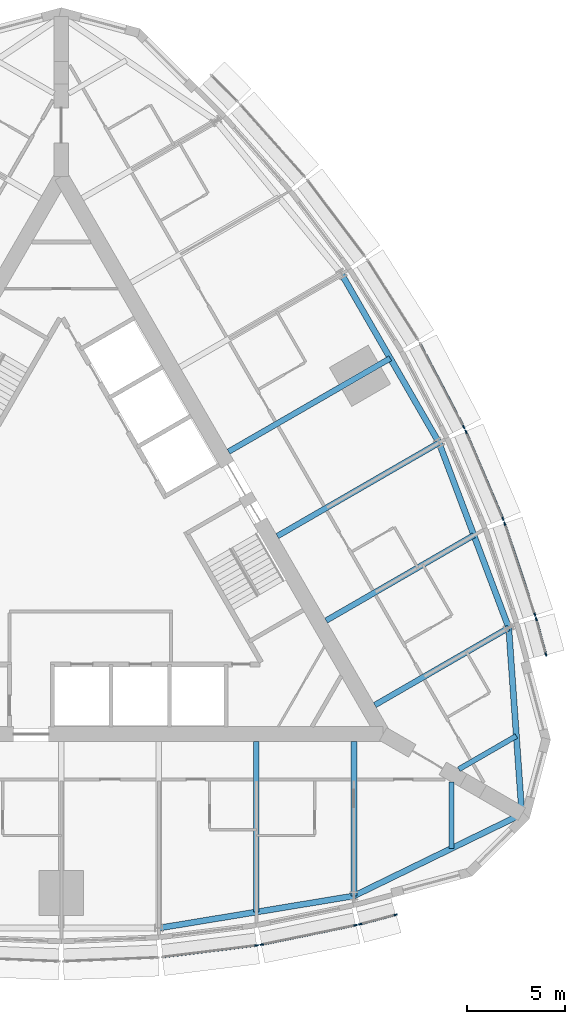
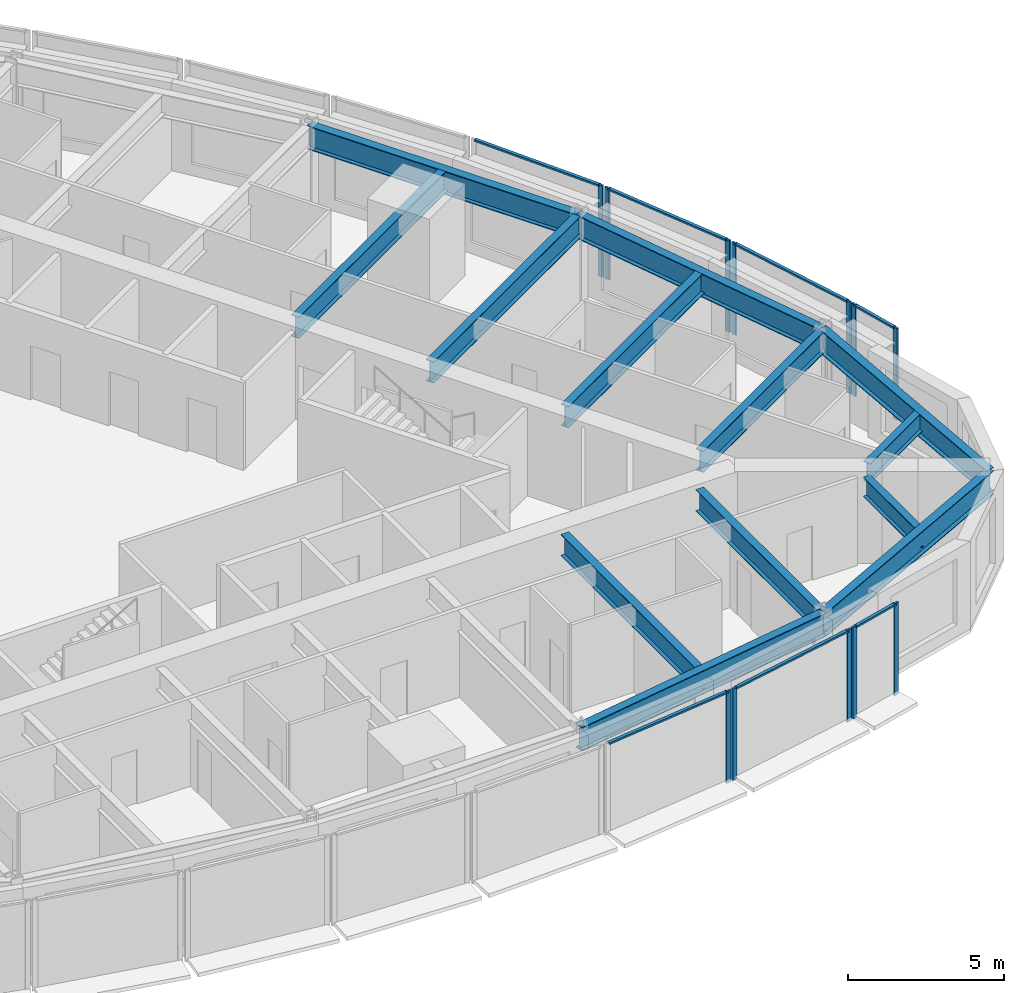
# One storey, part 4 of 15: 19 members, 13 beams, 7 elements without a shape of their own.
"""IFC4 building model written with IfcOpenShell, lengths in metres."""

from ifc_helpers import new_model, si_unit, direction, frame, origin, origin_2d, place, context, subcontext, project, spatial, rectangle, i_section, extrude, material, material_profile, profile_set, type_object, element, aggregate, save


model = new_model("IFC4")

# Units and contexts
model_context = context("Model", 3, precision=1e-05, world=origin(), true_north=direction((0.0, 1.0)))
body_context = subcontext(model_context, "Body", "Model", "MODEL_VIEW")
ifc_project = project(units=[si_unit("LENGTHUNIT", "METRE"), si_unit("AREAUNIT", "SQUARE_METRE"), si_unit("VOLUMEUNIT", "CUBIC_METRE"), si_unit("PLANEANGLEUNIT", "RADIAN"), si_unit("MASSUNIT", "GRAM", prefix="KILO")], contexts=[model_context])

# Site, building, storey
site_placement = place(None, origin())
site = spatial("IfcSite", under=ifc_project, at=site_placement, CompositionType="ELEMENT")
building_placement = place(site_placement, origin())
building = spatial("IfcBuilding", under=site, at=building_placement, Name="Trikona Tower", CompositionType="ELEMENT")
storey_placement = place(building_placement, frame((0.0, 0.0, 215.300048828125)))
storey = spatial("IfcBuildingStorey", under=building, at=storey_placement, Name="L57", CompositionType="ELEMENT", Elevation=215.300048828125)

# Curtain wall, member
ifc_material_1 = material(Name="Aluminium curtain wall system", Category="aluminium")
curtain_wall_type = type_object("IfcCurtainWallType", Name="Curtain wall DS3", PredefinedType="NOTDEFINED", material=ifc_material_1)
curtain_wall_1_placement = place(storey_placement, origin())
curtain_wall_1 = element("IfcCurtainWall", 1, at=curtain_wall_1_placement, inside=storey, type_object=curtain_wall_type, Name="Curtain wall DS3 L57", PredefinedType="NOTDEFINED")
ifc_material_2 = material(Name="Aluminium mullion, pale anodised", Category="aluminium")
ifc_material_profile_1 = material_profile(ifc_material_2, rectangle(XDim=0.070068359375, YDim=0.179931640625, at=origin_2d()), Name="MUL-DS3")
ifc_profile_set_1 = profile_set([ifc_material_profile_1], Name="Aluminium mullion, pale anodised")
member_type_1 = type_object("IfcMemberType", Name="Mullion DS3 70x180", PredefinedType="MULLION", material=ifc_profile_set_1)
member_1_placement = place(storey_placement, frame((10.01611328125, -20.359130859375, 0.0), z_axis=(0.0, 0.0, 1.0), x_axis=(-0.122610640458, 0.992454850785, 0.0)))
member_1 = element("IfcMember", 2, at=member_1_placement, type_object=member_type_1, Name="CW-DS3 mullion 2", PredefinedType="MULLION", context=body_context, shape_type="SweptSolid", body=[
    extrude(rectangle(XDim=0.070068359375, YDim=0.179931640625, at=origin_2d()), origin(), (0.0, 0.0, 1.0), 3.599853515625),
])

# Curtain wall, members
curtain_wall_2_placement = place(storey_placement, origin())
curtain_wall_2 = element("IfcCurtainWall", 3, at=curtain_wall_2_placement, inside=storey, type_object=curtain_wall_type, Name="Curtain wall DS3 L57", PredefinedType="NOTDEFINED")
member_2_placement = place(storey_placement, frame((10.274658203125, -20.316650390625, 0.0), z_axis=(0.0, 0.0, 1.0), x_axis=(-0.201652920672, 0.979457043256, 0.0)))
member_2 = element("IfcMember", 4, at=member_2_placement, type_object=member_type_1, Name="CW-DS3 mullion 1", PredefinedType="MULLION", context=body_context, shape_type="SweptSolid", body=[
    extrude(rectangle(XDim=0.070068359375, YDim=0.179931640625, at=origin_2d()), origin(), (0.0, 0.0, 1.0), 3.599853515625),
])
member_3_placement = place(storey_placement, frame((15.08837890625, -19.325439453125, 0.0), z_axis=(0.0, 0.0, 1.0), x_axis=(-0.201652920672, 0.979457043256, 0.0)))
member_3 = element("IfcMember", 5, at=member_3_placement, type_object=member_type_1, Name="CW-DS3 mullion 2", PredefinedType="MULLION", context=body_context, shape_type="SweptSolid", body=[
    extrude(rectangle(XDim=0.070068359375, YDim=0.179931640625, at=origin_2d()), origin(), (0.0, 0.0, 1.0), 3.599853515625),
])

curtain_wall_3_placement = place(storey_placement, origin())
curtain_wall_3 = element("IfcCurtainWall", 6, at=curtain_wall_3_placement, inside=storey, type_object=curtain_wall_type, Name="Curtain wall DS3 L57", PredefinedType="NOTDEFINED")
member_4_placement = place(storey_placement, frame((15.321044921875, -19.27099609375, 0.0), z_axis=(0.0, 0.0, 1.0), x_axis=(-0.25478635579, 0.966997369647, 0.0)))
member_4 = element("IfcMember", 7, at=member_4_placement, type_object=member_type_1, Name="CW-DS3 mullion 1", PredefinedType="MULLION", context=body_context, shape_type="SweptSolid", body=[
    extrude(rectangle(XDim=0.070068359375, YDim=0.179931640625, at=origin_2d()), origin(), (0.0, 0.0, 1.0), 3.599853515625),
])
member_5_placement = place(storey_placement, frame((17.137451171875, -18.79248046875, 0.0), z_axis=(0.0, 0.0, 1.0), x_axis=(-0.25478635579, 0.966997369647, 0.0)))
member_5 = element("IfcMember", 8, at=member_5_placement, type_object=member_type_1, Name="CW-DS3 mullion 2", PredefinedType="MULLION", context=body_context, shape_type="SweptSolid", body=[
    extrude(rectangle(XDim=0.070068359375, YDim=0.179931640625, at=origin_2d()), origin(), (0.0, 0.0, 1.0), 3.599853515625),
])

curtain_wall_4_placement = place(storey_placement, origin())
curtain_wall_4 = element("IfcCurtainWall", 9, at=curtain_wall_4_placement, inside=storey, type_object=curtain_wall_type, Name="Curtain wall DS3 L57", PredefinedType="NOTDEFINED")
member_6_placement = place(storey_placement, frame((24.843505859375, -5.4453125, 0.0), z_axis=(0.0, 0.0, 1.0), x_axis=(-0.964838403494, -0.262843784676, 0.0)))
member_6 = element("IfcMember", 10, at=member_6_placement, type_object=member_type_1, Name="CW-DS3 mullion 1", PredefinedType="MULLION", context=body_context, shape_type="SweptSolid", body=[
    extrude(rectangle(XDim=0.070068359375, YDim=0.179931640625, at=origin_2d()), origin(), (0.0, 0.0, 1.0), 3.599853515625),
])
member_7_placement = place(storey_placement, frame((24.349609375, -3.633056640625, 0.0), z_axis=(0.0, 0.0, 1.0), x_axis=(-0.964838403494, -0.262843784676, 0.0)))
member_7 = element("IfcMember", 11, at=member_7_placement, type_object=member_type_1, Name="CW-DS3 mullion 2", PredefinedType="MULLION", context=body_context, shape_type="SweptSolid", body=[
    extrude(rectangle(XDim=0.070068359375, YDim=0.179931640625, at=origin_2d()), origin(), (0.0, 0.0, 1.0), 3.599853515625),
])

curtain_wall_5_placement = place(storey_placement, origin())
curtain_wall_5 = element("IfcCurtainWall", 12, at=curtain_wall_5_placement, inside=storey, type_object=curtain_wall_type, Name="Curtain wall DS3 L57", PredefinedType="NOTDEFINED")
member_8_placement = place(storey_placement, frame((24.280517578125, -3.404296875, 0.0), z_axis=(0.0, 0.0, 1.0), x_axis=(-0.949065766708, -0.315078038687, 0.0)))
member_8 = element("IfcMember", 13, at=member_8_placement, type_object=member_type_1, Name="CW-DS3 mullion 1", PredefinedType="MULLION", context=body_context, shape_type="SweptSolid", body=[
    extrude(rectangle(XDim=0.070068359375, YDim=0.179931640625, at=origin_2d()), origin(), (0.0, 0.0, 1.0), 3.599853515625),
])
member_9_placement = place(storey_placement, frame((22.73193359375, 1.26025390625, 0.0), z_axis=(0.0, 0.0, 1.0), x_axis=(-0.949065766708, -0.315078038687, 0.0)))
member_9 = element("IfcMember", 14, at=member_9_placement, type_object=member_type_1, Name="CW-DS3 mullion 2", PredefinedType="MULLION", context=body_context, shape_type="SweptSolid", body=[
    extrude(rectangle(XDim=0.070068359375, YDim=0.179931640625, at=origin_2d()), origin(), (0.0, 0.0, 1.0), 3.599853515625),
])

curtain_wall_6_placement = place(storey_placement, origin())
curtain_wall_6 = element("IfcCurtainWall", 15, at=curtain_wall_6_placement, inside=storey, type_object=curtain_wall_type, Name="Curtain wall DS3 L57", PredefinedType="NOTDEFINED")
member_10_placement = place(storey_placement, frame((22.6396484375, 1.50537109375, 0.0), z_axis=(0.0, 0.0, 1.0), x_axis=(-0.920792322808, -0.390053199266, 0.0)))
member_10 = element("IfcMember", 16, at=member_10_placement, type_object=member_type_1, Name="CW-DS3 mullion 1", PredefinedType="MULLION", context=body_context, shape_type="SweptSolid", body=[
    extrude(rectangle(XDim=0.070068359375, YDim=0.179931640625, at=origin_2d()), origin(), (0.0, 0.0, 1.0), 3.599853515625),
])
member_11_placement = place(storey_placement, frame((20.74853515625, 5.969482421875, 0.0), z_axis=(0.0, 0.0, 1.0), x_axis=(-0.920792322808, -0.390053199266, 0.0)))
member_11 = element("IfcMember", 17, at=member_11_placement, type_object=member_type_1, Name="CW-DS3 mullion 2", PredefinedType="MULLION", context=body_context, shape_type="SweptSolid", body=[
    extrude(rectangle(XDim=0.070068359375, YDim=0.179931640625, at=origin_2d()), origin(), (0.0, 0.0, 1.0), 3.599853515625),
])

# Curtain wall, member
curtain_wall_7_placement = place(storey_placement, origin())
curtain_wall_7 = element("IfcCurtainWall", 18, at=curtain_wall_7_placement, inside=storey, type_object=curtain_wall_type, Name="Curtain wall DS3 L57", PredefinedType="NOTDEFINED")
member_12_placement = place(storey_placement, frame((20.635986328125, 6.20751953125, 0.0), z_axis=(0.0, 0.0, 1.0), x_axis=(-0.885862390527, -0.463948084434, 0.0)))
member_12 = element("IfcMember", 19, at=member_12_placement, type_object=member_type_1, Name="CW-DS3 mullion 1", PredefinedType="MULLION", context=body_context, shape_type="SweptSolid", body=[
    extrude(rectangle(XDim=0.070068359375, YDim=0.179931640625, at=origin_2d()), origin(), (0.0, 0.0, 1.0), 3.599853515625),
])

# Beams
ifc_material_3 = material(Name="Steel ASTM A992 Grade 50", Category="steel")
ifc_material_profile_2 = material_profile(ifc_material_3, i_section(OverallWidth=0.2666015625, OverallDepth=0.76953125, WebThickness=0.015625, FlangeThickness=0.025390625, at=origin_2d()), Name="W30X132")
ifc_profile_set_2 = profile_set([ifc_material_profile_2], Name="Steel ASTM A992 Grade 50")
beam_type_1 = type_object("IfcBeamType", Name="Steel beam W30x132 (wedge)", PredefinedType="BEAM", material=ifc_profile_set_2)
beam_1_placement = place(storey_placement, frame((20.0, -11.97998046875, 3.050048828125), z_axis=(0.0, -1.0, 0.0), x_axis=(1.0, 0.0, 0.0)))
element("IfcBeam", 20, at=beam_1_placement, inside=storey, type_object=beam_type_1, Name="Floor beam L58 F1 u20", PredefinedType="BEAM", context=body_context, shape_type="SweptSolid", body=[
    extrude(i_section(OverallWidth=0.2666015625, OverallDepth=0.76953125, WebThickness=0.015625, FlangeThickness=0.025390625, at=origin_2d()), origin(), (0.0, 0.0, 1.0), 3.40966796875),
])
beam_2_placement = place(storey_placement, frame((20.375, -11.33056640625, 3.050048828125), z_axis=(0.865995995653, 0.500050932918, 0.0), x_axis=(-0.500050932918, 0.865995995653, 0.0)))
element("IfcBeam", 21, at=beam_2_placement, inside=storey, type_object=beam_type_1, Name="Floor beam L58 F2 u-20", PredefinedType="BEAM", context=body_context, shape_type="SweptSolid", body=[
    extrude(i_section(OverallWidth=0.2666015625, OverallDepth=0.76953125, WebThickness=0.015625, FlangeThickness=0.025390625, at=origin_2d()), origin(), (0.0, 0.0, 1.0), 3.409912109375),
])
ifc_material_4 = material(Name="Steel ASTM A992 Grade 50", Category="steel")
ifc_material_profile_3 = material_profile(ifc_material_4, i_section(OverallWidth=0.2919921875, OverallDepth=0.845703125, WebThickness=0.015380859375, FlangeThickness=0.0244140625, at=origin_2d()), Name="W33X141")
ifc_profile_set_3 = profile_set([ifc_material_profile_3], Name="Steel ASTM A992 Grade 50")
beam_type_2 = type_object("IfcBeamType", Name="Steel beam W33x141 (radial typ)", PredefinedType="BEAM", material=ifc_profile_set_3)
beam_3_placement = place(storey_placement, frame((10.0, -9.9013671875, 3.011962890625), z_axis=(0.0, -1.0, 0.0), x_axis=(1.0, 0.0, 0.0)))
element("IfcBeam", 22, at=beam_3_placement, inside=storey, type_object=beam_type_2, Name="Floor beam L58 F1 u10", PredefinedType="BEAM", context=body_context, shape_type="SweptSolid", body=[
    extrude(i_section(OverallWidth=0.2919921875, OverallDepth=0.845703125, WebThickness=0.015380859375, FlangeThickness=0.0244140625, at=origin_2d()), origin(), (0.0, 0.0, 1.0), 8.7470703125),
])
for number, where, z_axis, x_axis, name in (
    (23, (15.0, -9.9013671875, 3.011962890625), (0.0, -1.0, 0.0), (1.0, 0.0, 0.0), "Floor beam L58 F1 u15"),
    (24, (16.07470703125, -8.039794921875, 3.011962890625), (0.866019853763, 0.500009612796, 0.0), (-0.500009612796, 0.866019853763, 0.0), "Floor beam L58 F2 u-15"),
):
    element("IfcBeam", number, at=place(storey_placement, frame(where, z_axis=z_axis, x_axis=x_axis)), inside=storey, type_object=beam_type_2, Name=name, PredefinedType="BEAM", context=body_context, shape_type="SweptSolid", body=[
        extrude(i_section(OverallWidth=0.2919921875, OverallDepth=0.845703125, WebThickness=0.015380859375, FlangeThickness=0.0244140625, at=origin_2d()), origin(), (0.0, 0.0, 1.0), 7.923583984375),
    ])
beam_4_placement = place(storey_placement, frame((13.57470703125, -3.709716796875, 3.011962890625), z_axis=(0.866013609749, 0.500020427312, 0.0), x_axis=(-0.500020427312, 0.866013609749, 0.0)))
element("IfcBeam", 25, at=beam_4_placement, inside=storey, type_object=beam_type_2, Name="Floor beam L58 F2 u-10", PredefinedType="BEAM", context=body_context, shape_type="SweptSolid", body=[
    extrude(i_section(OverallWidth=0.2919921875, OverallDepth=0.845703125, WebThickness=0.015380859375, FlangeThickness=0.0244140625, at=origin_2d()), origin(), (0.0, 0.0, 1.0), 8.747314453125),
])
for number, where, z_axis, x_axis, name in (
    (26, (11.07470703125, 0.62060546875, 3.011962890625), (0.866025863714, 0.499999203377, 0.0), (-0.499999203377, 0.866025863714, 0.0), "Floor beam L58 F2 u-5"),
    (27, (8.57470703125, 4.95068359375, 3.011962890625), (0.866025863714, 0.499999203377, 0.0), (-0.499999203377, 0.866025863714, 0.0), "Floor beam L58 F2 u0"),
):
    element("IfcBeam", number, at=place(storey_placement, frame(where, z_axis=z_axis, x_axis=x_axis)), inside=storey, type_object=beam_type_2, Name=name, PredefinedType="BEAM", context=body_context, shape_type="SweptSolid", body=[
        extrude(i_section(OverallWidth=0.2919921875, OverallDepth=0.845703125, WebThickness=0.015380859375, FlangeThickness=0.0244140625, at=origin_2d()), origin(), (0.0, 0.0, 1.0), 9.57080078125),
    ])
ifc_material_5 = material(Name="Steel ASTM A992 Grade 50", Category="steel")
ifc_material_profile_4 = material_profile(ifc_material_5, i_section(OverallWidth=0.307373046875, OverallDepth=0.922119140625, WebThickness=0.018310546875, FlangeThickness=0.030029296875, at=origin_2d()), Name="W36X182")
ifc_profile_set_4 = profile_set([ifc_material_profile_4], Name="Steel ASTM A992 Grade 50")
beam_type_3 = type_object("IfcBeamType", Name="Steel beam W36x182 (spandrel mid)", PredefinedType="SPANDREL", material=ifc_profile_set_4)
beam_5_placement = place(storey_placement, frame((5.0, -19.471923828125, 2.973876953125), z_axis=(0.986707228918, 0.162507982575, 0.0), x_axis=(-0.162507982575, 0.986707228918, 0.0)))
element("IfcBeam", 28, at=beam_5_placement, inside=storey, type_object=beam_type_3, Name="Spandrel beam L58 F1-4", PredefinedType="SPANDREL", context=body_context, shape_type="SweptSolid", body=[
    extrude(i_section(OverallWidth=0.307373046875, OverallDepth=0.922119140625, WebThickness=0.018310546875, FlangeThickness=0.030029296875, at=origin_2d()), origin(), (0.0, 0.0, 1.0), 10.134765625),
])
beam_6_placement = place(storey_placement, frame((15.0, -17.824951171875, 2.973876953125), z_axis=(0.899038503257, 0.437869580652, 0.0), x_axis=(-0.437869580652, 0.899038503257, 0.0)))
element("IfcBeam", 29, at=beam_6_placement, inside=storey, type_object=beam_type_3, Name="Spandrel beam L58 F1-5", PredefinedType="SPANDREL", context=body_context, shape_type="SweptSolid", body=[
    extrude(i_section(OverallWidth=0.307373046875, OverallDepth=0.922119140625, WebThickness=0.018310546875, FlangeThickness=0.030029296875, at=origin_2d()), origin(), (0.0, 0.0, 1.0), 9.577392578125),
])
beam_7_placement = place(storey_placement, frame((23.6103515625, -13.63134765625, 2.973876953125), z_axis=(-0.07033215835, 0.997523627541, 0.0), x_axis=(-0.997523627541, -0.07033215835, 0.0)))
element("IfcBeam", 30, at=beam_7_placement, inside=storey, type_object=beam_type_3, Name="Spandrel beam L58 F2-1", PredefinedType="SPANDREL", context=body_context, shape_type="SweptSolid", body=[
    extrude(i_section(OverallWidth=0.307373046875, OverallDepth=0.922119140625, WebThickness=0.018310546875, FlangeThickness=0.030029296875, at=origin_2d()), origin(), (0.0, 0.0, 1.0), 9.5771484375),
])
beam_8_placement = place(storey_placement, frame((22.936767578125, -4.077880859375, 2.973876953125), z_axis=(-0.352596088442, 0.935775613283, 0.0), x_axis=(-0.935775613283, -0.352596088442, 0.0)))
element("IfcBeam", 31, at=beam_8_placement, inside=storey, type_object=beam_type_3, Name="Spandrel beam L58 F2-2", PredefinedType="SPANDREL", context=body_context, shape_type="SweptSolid", body=[
    extrude(i_section(OverallWidth=0.307373046875, OverallDepth=0.922119140625, WebThickness=0.018310546875, FlangeThickness=0.030029296875, at=origin_2d()), origin(), (0.0, 0.0, 1.0), 10.134765625),
])
beam_9_placement = place(storey_placement, frame((19.36328125, 5.406005859375, 2.973876953125), z_axis=(-0.500004234368, 0.866022959057, 0.0), x_axis=(-0.866022959057, -0.500004234368, 0.0)))
element("IfcBeam", 32, at=beam_9_placement, inside=storey, type_object=beam_type_3, Name="Spandrel beam L58 F2-3", PredefinedType="SPANDREL", context=body_context, shape_type="SweptSolid", body=[
    extrude(i_section(OverallWidth=0.307373046875, OverallDepth=0.922119140625, WebThickness=0.018310546875, FlangeThickness=0.030029296875, at=origin_2d()), origin(), (0.0, 0.0, 1.0), 10.0),
])

# Member
ifc_material_6 = material(Name="Aluminium transom, pale anodised", Category="aluminium")
ifc_material_profile_5 = material_profile(ifc_material_6, rectangle(XDim=0.1201171875, YDim=0.070068359375, at=origin_2d()), Name="TRN-DS3")
ifc_profile_set_5 = profile_set([ifc_material_profile_5], Name="Aluminium transom, pale anodised")
member_type_2 = type_object("IfcMemberType", Name="Transom DS3 70x120", PredefinedType="USERDEFINED", material=ifc_profile_set_5)
member_13_placement = place(storey_placement, frame((5.2392578125, -20.94921875, 3.56494140625), z_axis=(0.992459172161, 0.122575656611, 0.0), x_axis=(-0.122575656611, 0.992459172161, 0.0)))
member_13 = element("IfcMember", 33, at=member_13_placement, type_object=member_type_2, Name="CW-DS3 transom 1.1", ObjectType="TRANSOM", PredefinedType="USERDEFINED", context=body_context, shape_type="SweptSolid", body=[
    extrude(rectangle(XDim=0.1201171875, YDim=0.070068359375, at=origin_2d()), origin(), (0.0, 0.0, 1.0), 4.7783203125),
])

aggregate(curtain_wall_1, [member_1, member_13])

member_14_placement = place(storey_placement, frame((10.308837890625, -20.3095703125, 3.56494140625), z_axis=(0.979454408611, 0.201665717099, 0.0), x_axis=(-0.201665717099, 0.979454408611, 0.0)))
member_14 = element("IfcMember", 34, at=member_14_placement, type_object=member_type_2, Name="CW-DS3 transom 1.1", ObjectType="TRANSOM", PredefinedType="USERDEFINED", context=body_context, shape_type="SweptSolid", body=[
    extrude(rectangle(XDim=0.1201171875, YDim=0.070068359375, at=origin_2d()), origin(), (0.0, 0.0, 1.0), 4.844970703125),
])

aggregate(curtain_wall_2, [member_2, member_3, member_14])

member_15_placement = place(storey_placement, frame((15.35498046875, -19.261962890625, 3.56494140625), z_axis=(0.966999290683, 0.254779064719, 0.0), x_axis=(-0.254779064719, 0.966999290683, 0.0)))
member_15 = element("IfcMember", 35, at=member_15_placement, type_object=member_type_2, Name="CW-DS3 transom 1.1", ObjectType="TRANSOM", PredefinedType="USERDEFINED", context=body_context, shape_type="SweptSolid", body=[
    extrude(rectangle(XDim=0.1201171875, YDim=0.070068359375, at=origin_2d()), origin(), (0.0, 0.0, 1.0), 1.80810546875),
])

aggregate(curtain_wall_3, [member_4, member_5, member_15])

member_16_placement = place(storey_placement, frame((24.834228515625, -5.41162109375, 3.56494140625), z_axis=(-0.262843243155, 0.964838551017, 0.0), x_axis=(-0.964838551017, -0.262843243155, 0.0)))
member_16 = element("IfcMember", 36, at=member_16_placement, type_object=member_type_2, Name="CW-DS3 transom 1.1", ObjectType="TRANSOM", PredefinedType="USERDEFINED", context=body_context, shape_type="SweptSolid", body=[
    extrude(rectangle(XDim=0.1201171875, YDim=0.070068359375, at=origin_2d()), origin(), (0.0, 0.0, 1.0), 1.808349609375),
])

aggregate(curtain_wall_4, [member_6, member_7, member_16])

member_17_placement = place(storey_placement, frame((24.26953125, -3.370849609375, 3.56494140625), z_axis=(-0.315063426034, 0.949070617802, 0.0), x_axis=(-0.949070617802, -0.315063426034, 0.0)))
member_17 = element("IfcMember", 37, at=member_17_placement, type_object=member_type_2, Name="CW-DS3 transom 1.1", ObjectType="TRANSOM", PredefinedType="USERDEFINED", context=body_context, shape_type="SweptSolid", body=[
    extrude(rectangle(XDim=0.1201171875, YDim=0.070068359375, at=origin_2d()), origin(), (0.0, 0.0, 1.0), 4.8447265625),
])

aggregate(curtain_wall_5, [member_8, member_9, member_17])

member_18_placement = place(storey_placement, frame((22.6259765625, 1.53759765625, 3.56494140625), z_axis=(-0.390061662668, 0.920788737614, 0.0), x_axis=(-0.920788737614, -0.390061662668, 0.0)))
member_18 = element("IfcMember", 38, at=member_18_placement, type_object=member_type_2, Name="CW-DS3 transom 1.1", ObjectType="TRANSOM", PredefinedType="USERDEFINED", context=body_context, shape_type="SweptSolid", body=[
    extrude(rectangle(XDim=0.1201171875, YDim=0.070068359375, at=origin_2d()), origin(), (0.0, 0.0, 1.0), 4.778076171875),
])

aggregate(curtain_wall_6, [member_10, member_11, member_18])

member_19_placement = place(storey_placement, frame((20.61962890625, 6.238525390625, 3.56494140625), z_axis=(-0.463910848027, 0.885881891158, 0.0), x_axis=(-0.885881891158, -0.463910848027, 0.0)))
member_19 = element("IfcMember", 39, at=member_19_placement, type_object=member_type_2, Name="CW-DS3 transom 1.1", ObjectType="TRANSOM", PredefinedType="USERDEFINED", context=body_context, shape_type="SweptSolid", body=[
    extrude(rectangle(XDim=0.1201171875, YDim=0.070068359375, at=origin_2d()), origin(), (0.0, 0.0, 1.0), 4.744384765625),
])

aggregate(curtain_wall_7, [member_12, member_19])

save(model, "model.ifc")
